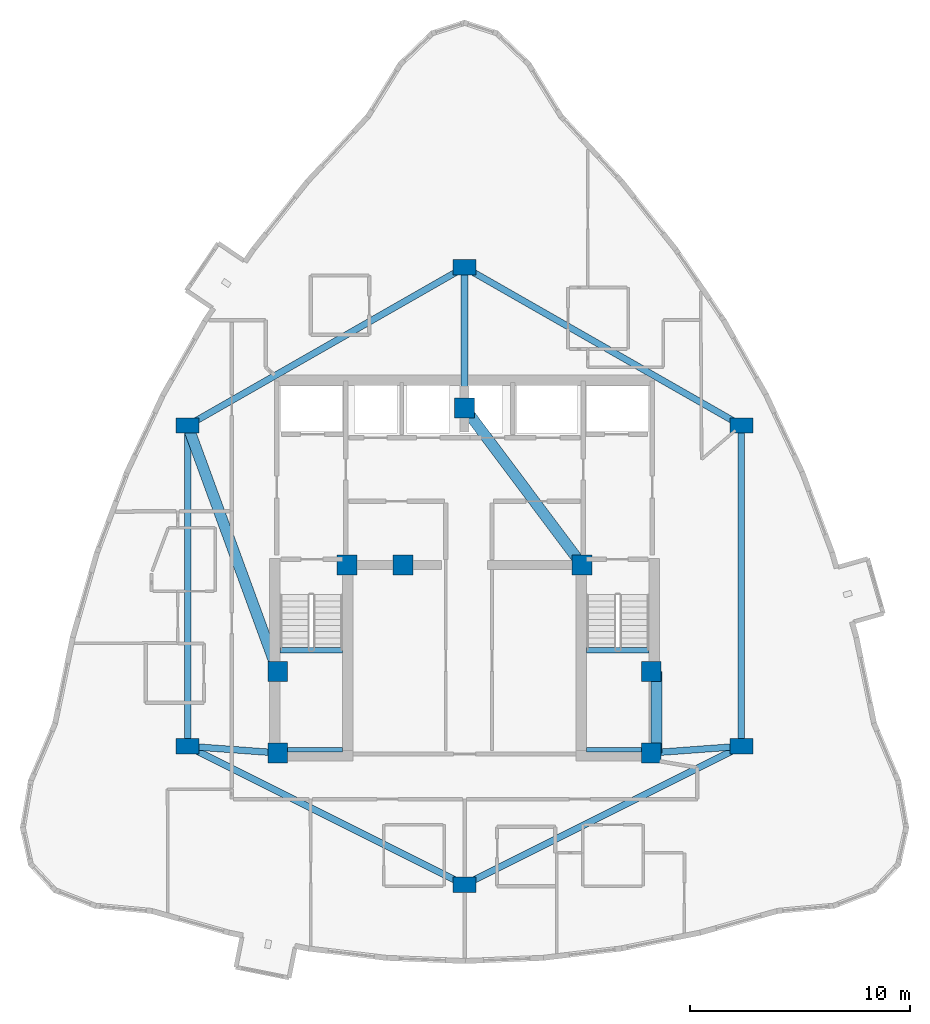
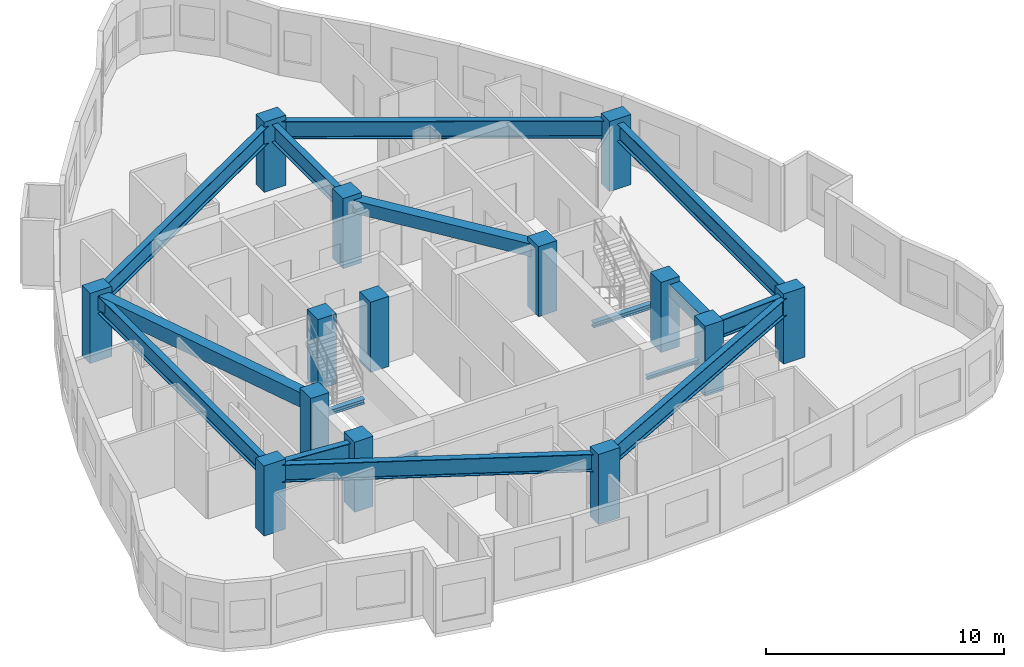
# One storey, part 1 of 13: 16 beams, 14 columns.
"""IFC4 building model written with IfcOpenShell, lengths in metres."""

import ifcopenshell
import ifcopenshell.guid

model = None  # the IFC model being written
_history = None  # IfcOwnerHistory: only IFC2X3 demands one
_inside = {}  # id of a spatial element -> (the spatial element, [elements in it])
_under = {}  # id of a project, library or spatial element -> (it, [spatial elements below it])
_declared = {}  # id of a project -> (the project, [libraries it declares])
_typed = {}  # id of a type object -> (the type object, [elements of that type])
_made_of = {}  # id of a material, layer set ... -> (it, [elements and type objects made of it])


def new_model(schema):
    """Start an empty IFC model of exactly this schema.

    Asked for "IFC4X3", IfcOpenShell would pick the latest addendum, in which some entities
    have other attributes; the version numbers below select the first issue.
    IFC2X3 requires an IfcOwnerHistory on every rooted entity: one is made here for all.
    """
    global model, _history
    if schema == "IFC4X3":
        model = ifcopenshell.file(schema_version=(4, 3, 0, 0))
    else:
        model = ifcopenshell.file(schema=schema)
    _inside.clear()
    _under.clear()
    _declared.clear()
    _typed.clear()
    _made_of.clear()
    _history = None
    if model.schema == "IFC2X3":
        org = make("IfcOrganization", Name="unknown")
        user = make(
            "IfcPersonAndOrganization",
            ThePerson=make("IfcPerson", FamilyName="unknown"),
            TheOrganization=org,
        )
        app = make(
            "IfcApplication",
            ApplicationDeveloper=org,
            Version="unknown",
            ApplicationFullName="unknown",
            ApplicationIdentifier="unknown",
        )
        _history = make(
            "IfcOwnerHistory",
            OwningUser=user,
            OwningApplication=app,
            ChangeAction="ADDED",
            CreationDate=0,
        )
    return model


def make(cls, **values):
    """One entity of the class cls with the attributes given. An attribute that is None is left unset."""
    return model.create_entity(
        cls, **{name: value for name, value in values.items() if value is not None}
    )


def rooted(cls, **values):
    """An entity with a GlobalId (a new one), such as an element, a storey or a relation."""
    return make(cls, GlobalId=ifcopenshell.guid.new(), OwnerHistory=_history, **values)


def si_unit(unit_type, name, prefix=None):
    """IfcSIUnit, for example si_unit("LENGTHUNIT", "METRE", prefix="MILLI")."""
    return make("IfcSIUnit", UnitType=unit_type, Prefix=prefix, Name=name)


def assignment(units):
    """IfcUnitAssignment: the units of a project."""
    return None if units is None else make("IfcUnitAssignment", Units=units)


def point(xyz):
    """IfcCartesianPoint."""
    return None if xyz is None else make("IfcCartesianPoint", Coordinates=xyz)


def direction(xyz):
    """IfcDirection."""
    return None if xyz is None else make("IfcDirection", DirectionRatios=xyz)


def frame(location, z_axis=None, x_axis=None):
    """IfcAxis2Placement3D, a coordinate frame: its origin and axes. An axis left out is left unset."""
    return make(
        "IfcAxis2Placement3D",
        Location=point(location),
        Axis=direction(z_axis),
        RefDirection=direction(x_axis),
    )


def frame_2d(location, x_axis=None):
    """IfcAxis2Placement2D, a coordinate frame in the plane: its origin and x axis."""
    return make(
        "IfcAxis2Placement2D", Location=point(location), RefDirection=direction(x_axis)
    )


def origin():
    """The frame at (0, 0, 0) with its axes left unset."""
    return frame((0.0, 0.0, 0.0))


def origin_2d():
    """The frame at (0, 0) in the plane with its x axis left unset."""
    return frame_2d((0.0, 0.0))


def place(relative_to, where):
    """IfcLocalPlacement: puts the frame where relative to a parent placement (None: the world)."""
    return make(
        "IfcLocalPlacement", PlacementRelTo=relative_to, RelativePlacement=where
    )


def context(
    kind, dimensions, precision=None, world=None, true_north=None, identifier=None
):
    """IfcGeometricRepresentationContext, for example the 3D "Model" context."""
    return make(
        "IfcGeometricRepresentationContext",
        ContextIdentifier=identifier,
        ContextType=kind,
        CoordinateSpaceDimension=dimensions,
        Precision=precision,
        WorldCoordinateSystem=world,
        TrueNorth=true_north,
    )


def subcontext(parent, identifier, kind, view, scale=None):
    """IfcGeometricRepresentationSubContext, for example "Body" below "Model"."""
    return make(
        "IfcGeometricRepresentationSubContext",
        ContextIdentifier=identifier,
        ContextType=kind,
        ParentContext=parent,
        TargetScale=scale,
        TargetView=view,
    )


def project(units=None, contexts=None):
    """IfcProject with its units and contexts."""
    return rooted(
        "IfcProject",
        Name="project",
        RepresentationContexts=contexts,
        UnitsInContext=assignment(units),
    )


def spatial(cls, under=None, at=None, **own):
    """A site, building, storey or space (cls), placed at a placement, below another one or the project."""
    s = rooted(cls, ObjectPlacement=at, **own)
    if under is not None:
        _under.setdefault(under.id(), (under, []))[1].append(s)
    return s


def profile(cls, at=None, kind="AREA", **sizes):
    """A parametric profile (cls). Its sizes go by their IFC names, for example OverallWidth=200.0."""
    return make(cls, ProfileType=kind, Position=at, **sizes)


def rectangle(**sizes):
    """IfcRectangleProfileDef."""
    return profile("IfcRectangleProfileDef", **sizes)


def i_section(**sizes):
    """IfcIShapeProfileDef."""
    return profile("IfcIShapeProfileDef", **sizes)


def extrude(swept, where, along, depth):
    """IfcExtrudedAreaSolid: the profile swept, set in the frame where, extruded along a direction by depth."""
    return make(
        "IfcExtrudedAreaSolid",
        SweptArea=swept,
        Position=where,
        ExtrudedDirection=direction(along),
        Depth=depth,
    )


def shape(context_of_items, identifier, shape_type, items):
    """IfcShapeRepresentation: the items that make up one representation, for example the "Body"."""
    return make(
        "IfcShapeRepresentation",
        ContextOfItems=context_of_items,
        RepresentationIdentifier=identifier,
        RepresentationType=shape_type,
        Items=items,
    )


def material(Name=None, Category=None):
    """IfcMaterial."""
    return make("IfcMaterial", Name=Name, Category=Category)


def material_profile(
    of_material, cross_section, Name=None, Category=None, Priority=None
):
    """IfcMaterialProfile: a cross section and its material."""
    return make(
        "IfcMaterialProfile",
        Name=Name,
        Material=of_material,
        Profile=cross_section,
        Priority=Priority,
        Category=Category,
    )


def profile_set(profiles, Name=None, composite=None):
    """IfcMaterialProfileSet."""
    return make(
        "IfcMaterialProfileSet",
        Name=Name,
        MaterialProfiles=profiles,
        CompositeProfile=composite,
    )


def made_of(thing, what):
    """Note that an element or type object is made of a material, layer set ...; save() writes the relation."""
    if what is not None:
        _made_of.setdefault(what.id(), (what, []))[1].append(thing)
    return thing


def type_object(cls, material=None, **own):
    """A type object (cls), such as IfcWallType, which elements share."""
    return made_of(rooted(cls, **own), material)


def element(
    cls,
    number,
    at=None,
    inside=None,
    cuts=None,
    type_object=None,
    material=None,
    context=None,
    identifier="Body",
    shape_type=None,
    held_by="IfcProductDefinitionShape",
    body=None,
    shapes=None,
    **own,
):
    """One element of the class cls, such as IfcWall. Its Tag is "e" and its number.

    at: its placement. inside: the storey or other place that contains it. cuts: it is an
    opening in that element (IfcRelVoidsElement). A single representation is given by context,
    identifier, shape_type and body (its items); several are given by shapes. held_by: the class
    of the entity that holds the representations. save() writes the other relations.
    """
    e = rooted(cls, Tag="e%d" % number, ObjectPlacement=at, **own)
    if body is not None:
        shapes = [shape(context, identifier, shape_type, body)]
    if shapes is not None:
        e.Representation = make(held_by, Representations=shapes)
    if inside is not None:
        _inside.setdefault(inside.id(), (inside, []))[1].append(e)
    if cuts is not None:
        rooted(
            "IfcRelVoidsElement", RelatingBuildingElement=cuts, RelatedOpeningElement=e
        )
    if type_object is not None:
        _typed.setdefault(type_object.id(), (type_object, []))[1].append(e)
    return made_of(e, material)


def aggregate(whole, parts):
    """IfcRelAggregates: a whole, such as a stair, and the parts it consists of."""
    return rooted("IfcRelAggregates", RelatingObject=whole, RelatedObjects=parts)


def save(model, path):
    """Write the relations noted so far, then the file.

    IfcRelAggregates (storeys below a building ...), IfcRelContainedInSpatialStructure (elements
    in a storey), IfcRelDefinesByType, IfcRelAssociatesMaterial and IfcRelDeclares: one each for
    every whole, place, type object, material and project.
    """
    for whole, parts in _under.values():
        aggregate(whole, parts)
    for where, things in _inside.values():
        rooted(
            "IfcRelContainedInSpatialStructure",
            RelatedElements=things,
            RelatingStructure=where,
        )
    for kind, things in _typed.values():
        rooted("IfcRelDefinesByType", RelatedObjects=things, RelatingType=kind)
    for what, things in _made_of.values():
        rooted("IfcRelAssociatesMaterial", RelatedObjects=things, RelatingMaterial=what)
    for by, libraries in _declared.values():
        rooted("IfcRelDeclares", RelatingContext=by, RelatedDefinitions=libraries)
    model.write(path)


model = new_model("IFC4")

# Units and contexts
model_context = context("Model", 3, precision=1e-05, world=origin(), true_north=direction((0.0, 1.0)))
body_context = subcontext(model_context, "Body", "Model", "MODEL_VIEW")
ifc_project = project(units=[si_unit("LENGTHUNIT", "METRE"), si_unit("AREAUNIT", "SQUARE_METRE"), si_unit("VOLUMEUNIT", "CUBIC_METRE"), si_unit("PLANEANGLEUNIT", "RADIAN"), si_unit("MASSUNIT", "GRAM", prefix="KILO")], contexts=[model_context])

# Site, building, storey
site_placement = place(None, origin())
site = spatial("IfcSite", under=ifc_project, at=site_placement, CompositionType="ELEMENT")
building_placement = place(site_placement, origin())
building = spatial("IfcBuilding", under=site, at=building_placement, Name="Miruveldt Soraemaru", CompositionType="ELEMENT")
storey_placement = place(building_placement, frame((0.0, 0.0, 201.60009765625)))
storey = spatial("IfcBuildingStorey", under=building, at=storey_placement, Name="L55", CompositionType="ELEMENT", Elevation=201.60009765625)

# Columns
ifc_material_1 = material(Name="Concrete C50/60 (50 MPa)", Category="concrete")
ifc_material_profile_1 = material_profile(ifc_material_1, rectangle(XDim=0.89990234375, YDim=0.89990234375, at=origin_2d()), Name="Concrete C50/60 (50 MPa)", Category="concrete")
ifc_profile_set_1 = profile_set([ifc_material_profile_1], Name="Concrete C50/60 (50 MPa)")
column_type_1 = type_object("IfcColumnType", Name="COL-CORE-900", PredefinedType="COLUMN", material=ifc_profile_set_1)
for number, where, z_axis, x_axis, name in (
    (1, (35.5, 35.5, 0.0), (0.0, 0.0, 1.0), (1.0, 0.0, 0.0), "L55 Structural Column CC1"),
    (2, (38.64990234375, 44.050048828125, 0.0), (0.0, 0.0, 1.0), (1.0, 0.0, 0.0), "L55 Structural Column CC2"),
    (3, (52.5, 35.5, 0.0), (0.0, 0.0, 1.0), (1.0, 0.0, 0.0), "L55 Structural Column CC3"),
    (4, (52.5, 39.199951171875, 0.0), (0.0, 0.0, 1.0), (1.0, 0.0, 0.0), "L55 Structural Column CC4"),
    (5, (49.35009765625, 44.050048828125, 0.0), (0.0, 0.0, 1.0), (1.0, 0.0, 0.0), "L55 Structural Column CC5"),
    (6, (44.0, 51.199951171875, 0.0), (0.0, 0.0, 1.0), (1.0, 0.0, 0.0), "L55 Structural Column CC6"),
    (7, (35.5, 39.199951171875, 0.0), (0.0, 0.0, 1.0), (1.0, 0.0, 0.0), "L55 Structural Column CC7"),
    (8, (41.199951171875, 44.050048828125, 0.0), (0.0, 0.0, 1.0), (1.0, 0.0, 0.0), "L55 Structural Column CC8"),
):
    element("IfcColumn", number, at=place(storey_placement, frame(where, z_axis=z_axis, x_axis=x_axis)), inside=storey, type_object=column_type_1, Name=name, PredefinedType="COLUMN", context=body_context, shape_type="SweptSolid", body=[
        extrude(rectangle(XDim=0.89990234375, YDim=0.89990234375, at=origin_2d()), origin(), (0.0, 0.0, 1.0), 3.599853515625),
    ])
ifc_material_2 = material(Name="Concrete C60/75 (60 MPa)", Category="concrete")
ifc_material_profile_2 = material_profile(ifc_material_2, rectangle(XDim=1.050048828125, YDim=0.699951171875, at=origin_2d()), Name="Concrete C60/75 (60 MPa)", Category="concrete")
ifc_profile_set_2 = profile_set([ifc_material_profile_2], Name="Concrete C60/75 (60 MPa)")
column_type_2 = type_object("IfcColumnType", Name="COL-TW-Z3", PredefinedType="COLUMN", material=ifc_profile_set_2)
for number, where, z_axis, x_axis, name in (
    (9, (44.0, 57.60009765625, 0.0), (0.0, 0.0, 1.0), (1.0, 0.0, 0.0), "L55 Structural Column IR01"),
    (10, (56.60009765625, 50.39990234375, 0.0), (0.0, 0.0, 1.0), (1.0, 0.0, 0.0), "L55 Structural Column IR02"),
    (11, (56.60009765625, 35.800048828125, 0.0), (0.0, 0.0, 1.0), (1.0, 0.0, 0.0), "L55 Structural Column IR03"),
    (12, (44.0, 29.5, 0.0), (0.0, 0.0, 1.0), (1.0, 0.0, 0.0), "L55 Structural Column IR04"),
    (13, (31.39990234375, 35.800048828125, 0.0), (0.0, 0.0, 1.0), (1.0, 0.0, 0.0), "L55 Structural Column IR05"),
    (14, (31.39990234375, 50.39990234375, 0.0), (0.0, 0.0, 1.0), (1.0, 0.0, 0.0), "L55 Structural Column IR06"),
):
    element("IfcColumn", number, at=place(storey_placement, frame(where, z_axis=z_axis, x_axis=x_axis)), inside=storey, type_object=column_type_2, Name=name, PredefinedType="COLUMN", context=body_context, shape_type="SweptSolid", body=[
        extrude(rectangle(XDim=1.050048828125, YDim=0.699951171875, at=origin_2d()), origin(), (0.0, 0.0, 1.0), 3.599853515625),
    ])

# Beams
ifc_material_profile_3 = material_profile(ifc_material_1, rectangle(XDim=0.5, YDim=0.64990234375, at=origin_2d()), Name="Concrete C50/60 (50 MPa)", Category="concrete")
ifc_profile_set_3 = profile_set([ifc_material_profile_3], Name="Concrete C50/60 (50 MPa)")
beam_type_1 = type_object("IfcBeamType", Name="BM-RC-500x650", PredefinedType="BEAM", material=ifc_profile_set_3)
beam_1_placement = place(storey_placement, frame((52.72998046875, 35.5, 3.02001953125), z_axis=(0.0, 1.0, 0.0), x_axis=(-1.0, 0.0, 0.0)))
element("IfcBeam", 15, at=beam_1_placement, inside=storey, type_object=beam_type_1, Name="L55 Core Tie Beam 3", PredefinedType="BEAM", context=body_context, shape_type="SweptSolid", body=[
    extrude(rectangle(XDim=0.5, YDim=0.64990234375, at=origin_2d()), origin(), (0.0, 0.0, 1.0), 3.699951171875),
])
beam_2_placement = place(storey_placement, frame((49.35009765625, 44.050048828125, 3.02001953125), z_axis=(-0.599116023999, 0.800662219533, 0.0), x_axis=(-0.800662219533, -0.599116023999, 0.0)))
element("IfcBeam", 16, at=beam_2_placement, inside=storey, type_object=beam_type_1, Name="L55 Core Tie Beam 5", PredefinedType="BEAM", context=body_context, shape_type="SweptSolid", body=[
    extrude(rectangle(XDim=0.5, YDim=0.64990234375, at=origin_2d()), origin(), (0.0, 0.0, 1.0), 8.929931640625),
])
ifc_material_3 = material(Name="Concrete C40/50 (40 MPa)", Category="concrete")
ifc_material_profile_4 = material_profile(ifc_material_3, rectangle(XDim=0.5, YDim=0.75, at=origin_2d()), Name="Concrete C40/50 (40 MPa)", Category="concrete")
ifc_profile_set_4 = profile_set([ifc_material_profile_4], Name="Concrete C40/50 (40 MPa)")
beam_type_2 = type_object("IfcBeamType", Name="BM-RC-500x750", PredefinedType="LINTEL", material=ifc_profile_set_4)
beam_3_placement = place(storey_placement, frame((31.39990234375, 50.39990234375, 2.969970703125), z_axis=(0.343770424598, -0.939053723262, 0.0), x_axis=(0.939053723262, 0.343770424598, 0.0)))
element("IfcBeam", 17, at=beam_3_placement, inside=storey, type_object=beam_type_2, Name="L55 West Lobby Lintel", PredefinedType="LINTEL", context=body_context, shape_type="SweptSolid", body=[
    extrude(rectangle(XDim=0.5, YDim=0.75, at=origin_2d()), origin(), (0.0, 0.0, 1.0), 11.9267578125),
])
ifc_material_4 = material(Name="Steel S460 (460 MPa)", Category="steel")
ifc_material_profile_5 = material_profile(ifc_material_4, i_section(OverallWidth=0.300048828125, OverallDepth=0.89990234375, WebThickness=0.01611328125, FlangeThickness=0.028076171875, FilletRadius=0.028076171875, at=origin_2d()), Name="Steel S460 (460 MPa)", Category="steel")
ifc_profile_set_5 = profile_set([ifc_material_profile_5], Name="Steel S460 (460 MPa)")
beam_type_3 = type_object("IfcBeamType", Name="BM-ST-H900", PredefinedType="BEAM", material=ifc_profile_set_5)
beam_4_placement = place(storey_placement, frame((44.0, 57.60009765625, 2.89501953125), z_axis=(0.868239001029, -0.496146185203, 0.0), x_axis=(0.496146185203, 0.868239001029, 0.0)))
element("IfcBeam", 18, at=beam_4_placement, inside=storey, type_object=beam_type_3, Name="L55 Inner Ring Girder 1", PredefinedType="BEAM", context=body_context, shape_type="SweptSolid", body=[
    extrude(i_section(OverallWidth=0.300048828125, OverallDepth=0.89990234375, WebThickness=0.01611328125, FlangeThickness=0.028076171875, FilletRadius=0.028076171875, at=origin_2d()), origin(), (0.0, 0.0, 1.0), 14.51220703125),
])
beam_5_placement = place(storey_placement, frame((44.0, 51.199951171875, 2.89501953125), z_axis=(0.0, 1.0, 0.0), x_axis=(-1.0, 0.0, 0.0)))
element("IfcBeam", 19, at=beam_5_placement, inside=storey, type_object=beam_type_3, Name="L55 Core-to-Inner Radial Girder 1", PredefinedType="BEAM", context=body_context, shape_type="SweptSolid", body=[
    extrude(i_section(OverallWidth=0.300048828125, OverallDepth=0.89990234375, WebThickness=0.01611328125, FlangeThickness=0.028076171875, FilletRadius=0.028076171875, at=origin_2d()), origin(), (0.0, 0.0, 1.0), 6.400146484375),
])
beam_6_placement = place(storey_placement, frame((56.60009765625, 50.39990234375, 2.89501953125), z_axis=(0.0, -1.0, 0.0), x_axis=(1.0, 0.0, 0.0)))
element("IfcBeam", 20, at=beam_6_placement, inside=storey, type_object=beam_type_3, Name="L55 Inner Ring Girder 2", PredefinedType="BEAM", context=body_context, shape_type="SweptSolid", body=[
    extrude(i_section(OverallWidth=0.300048828125, OverallDepth=0.89990234375, WebThickness=0.01611328125, FlangeThickness=0.028076171875, FilletRadius=0.028076171875, at=origin_2d()), origin(), (0.0, 0.0, 1.0), 14.599853515625),
])
beam_7_placement = place(storey_placement, frame((56.60009765625, 35.800048828125, 2.89501953125), z_axis=(-0.894427191, -0.4472135955, 0.0), x_axis=(0.4472135955, -0.894427191, 0.0)))
element("IfcBeam", 21, at=beam_7_placement, inside=storey, type_object=beam_type_3, Name="L55 Inner Ring Girder 3", PredefinedType="BEAM", context=body_context, shape_type="SweptSolid", body=[
    extrude(i_section(OverallWidth=0.300048828125, OverallDepth=0.89990234375, WebThickness=0.01611328125, FlangeThickness=0.028076171875, FilletRadius=0.028076171875, at=origin_2d()), origin(), (0.0, 0.0, 1.0), 14.08740234375),
])
beam_8_placement = place(storey_placement, frame((52.5, 35.5, 2.89501953125), z_axis=(0.997332985605, 0.072985723431, 0.0), x_axis=(-0.072985723431, 0.997332985605, 0.0)))
element("IfcBeam", 22, at=beam_8_placement, inside=storey, type_object=beam_type_3, Name="L55 Core-to-Inner Radial Girder 3", PredefinedType="BEAM", context=body_context, shape_type="SweptSolid", body=[
    extrude(i_section(OverallWidth=0.300048828125, OverallDepth=0.89990234375, WebThickness=0.01611328125, FlangeThickness=0.028076171875, FilletRadius=0.028076171875, at=origin_2d()), origin(), (0.0, 0.0, 1.0), 4.111083984375),
])
beam_9_placement = place(storey_placement, frame((44.0, 29.5, 2.89501953125), z_axis=(-0.894427191, 0.4472135955, 0.0), x_axis=(-0.4472135955, -0.894427191, 0.0)))
element("IfcBeam", 23, at=beam_9_placement, inside=storey, type_object=beam_type_3, Name="L55 Inner Ring Girder 4", PredefinedType="BEAM", context=body_context, shape_type="SweptSolid", body=[
    extrude(i_section(OverallWidth=0.300048828125, OverallDepth=0.89990234375, WebThickness=0.01611328125, FlangeThickness=0.028076171875, FilletRadius=0.028076171875, at=origin_2d()), origin(), (0.0, 0.0, 1.0), 14.08740234375),
])
beam_10_placement = place(storey_placement, frame((31.39990234375, 35.800048828125, 2.89501953125), z_axis=(0.0, 1.0, 0.0), x_axis=(-1.0, 0.0, 0.0)))
element("IfcBeam", 24, at=beam_10_placement, inside=storey, type_object=beam_type_3, Name="L55 Inner Ring Girder 5", PredefinedType="BEAM", context=body_context, shape_type="SweptSolid", body=[
    extrude(i_section(OverallWidth=0.300048828125, OverallDepth=0.89990234375, WebThickness=0.01611328125, FlangeThickness=0.028076171875, FilletRadius=0.028076171875, at=origin_2d()), origin(), (0.0, 0.0, 1.0), 14.599853515625),
])
beam_11_placement = place(storey_placement, frame((35.5, 35.5, 2.89501953125), z_axis=(-0.997332985605, 0.072985723431, 0.0), x_axis=(-0.072985723431, -0.997332985605, 0.0)))
element("IfcBeam", 25, at=beam_11_placement, inside=storey, type_object=beam_type_3, Name="L55 Core-to-Inner Radial Girder 5", PredefinedType="BEAM", context=body_context, shape_type="SweptSolid", body=[
    extrude(i_section(OverallWidth=0.300048828125, OverallDepth=0.89990234375, WebThickness=0.01611328125, FlangeThickness=0.028076171875, FilletRadius=0.028076171875, at=origin_2d()), origin(), (0.0, 0.0, 1.0), 4.111083984375),
])
beam_12_placement = place(storey_placement, frame((31.39990234375, 50.39990234375, 2.89501953125), z_axis=(0.868239001029, 0.496146185203, 0.0), x_axis=(-0.496146185203, 0.868239001029, 0.0)))
element("IfcBeam", 26, at=beam_12_placement, inside=storey, type_object=beam_type_3, Name="L55 Inner Ring Girder 6", PredefinedType="BEAM", context=body_context, shape_type="SweptSolid", body=[
    extrude(i_section(OverallWidth=0.300048828125, OverallDepth=0.89990234375, WebThickness=0.01611328125, FlangeThickness=0.028076171875, FilletRadius=0.028076171875, at=origin_2d()), origin(), (0.0, 0.0, 1.0), 14.51220703125),
])
ifc_material_5 = material(Name="Steel SM355 (355 MPa)", Category="steel")
ifc_material_profile_6 = material_profile(ifc_material_5, i_section(OverallWidth=0.199951171875, OverallDepth=0.199951171875, WebThickness=0.008056640625, FlangeThickness=0.011962890625, FilletRadius=0.012939453125, at=origin_2d()), Name="Steel SM355 (355 MPa)", Category="steel")
ifc_profile_set_6 = profile_set([ifc_material_profile_6], Name="Steel SM355 (355 MPa)")
beam_type_4 = type_object("IfcBeamType", Name="BM-ST-LND200", PredefinedType="BEAM", material=ifc_profile_set_6)
for number, where, z_axis, x_axis, name in (
    (27, (35.60009765625, 35.64990234375, 1.5), (1.0, 0.0, 0.0), (0.0, 1.0, 0.0), "L55 ST1 Landing End Beam 1B"),
    (28, (49.550048828125, 35.64990234375, 1.5), (1.0, 0.0, 0.0), (0.0, 1.0, 0.0), "L55 ST2 Landing End Beam 1B"),
):
    element("IfcBeam", number, at=place(storey_placement, frame(where, z_axis=z_axis, x_axis=x_axis)), inside=storey, type_object=beam_type_4, Name=name, PredefinedType="BEAM", context=body_context, shape_type="SweptSolid", body=[
        extrude(i_section(OverallWidth=0.199951171875, OverallDepth=0.199951171875, WebThickness=0.008056640625, FlangeThickness=0.011962890625, FilletRadius=0.012939453125, at=origin_2d()), origin(), (0.0, 0.0, 1.0), 2.849853515625),
    ])
ifc_material_profile_7 = material_profile(ifc_material_5, i_section(OverallWidth=0.25, OverallDepth=0.25, WebThickness=0.009033203125, FlangeThickness=0.013916015625, FilletRadius=0.01611328125, at=origin_2d()), Name="Steel SM355 (355 MPa)", Category="steel")
ifc_profile_set_7 = profile_set([ifc_material_profile_7], Name="Steel SM355 (355 MPa)")
beam_type_5 = type_object("IfcBeamType", Name="BM-ST-LND250", PredefinedType="BEAM", material=ifc_profile_set_7)
for number, where, z_axis, x_axis, name in (
    (29, (35.60009765625, 40.179931640625, 1.474853515625), (1.0, 0.0, 0.0), (0.0, 1.0, 0.0), "L55 ST1 Landing Support Beam 1A"),
    (30, (49.550048828125, 40.179931640625, 1.474853515625), (1.0, 0.0, 0.0), (0.0, 1.0, 0.0), "L55 ST2 Landing Support Beam 1A"),
):
    element("IfcBeam", number, at=place(storey_placement, frame(where, z_axis=z_axis, x_axis=x_axis)), inside=storey, type_object=beam_type_5, Name=name, PredefinedType="BEAM", context=body_context, shape_type="SweptSolid", body=[
        extrude(i_section(OverallWidth=0.25, OverallDepth=0.25, WebThickness=0.009033203125, FlangeThickness=0.013916015625, FilletRadius=0.01611328125, at=origin_2d()), origin(), (0.0, 0.0, 1.0), 2.849853515625),
    ])

save(model, "model.ifc")
